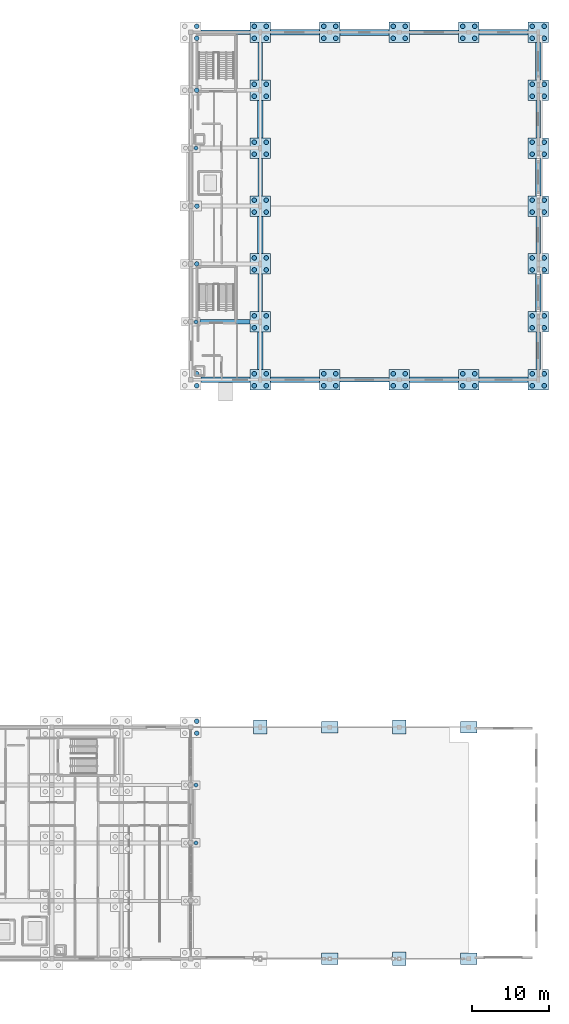
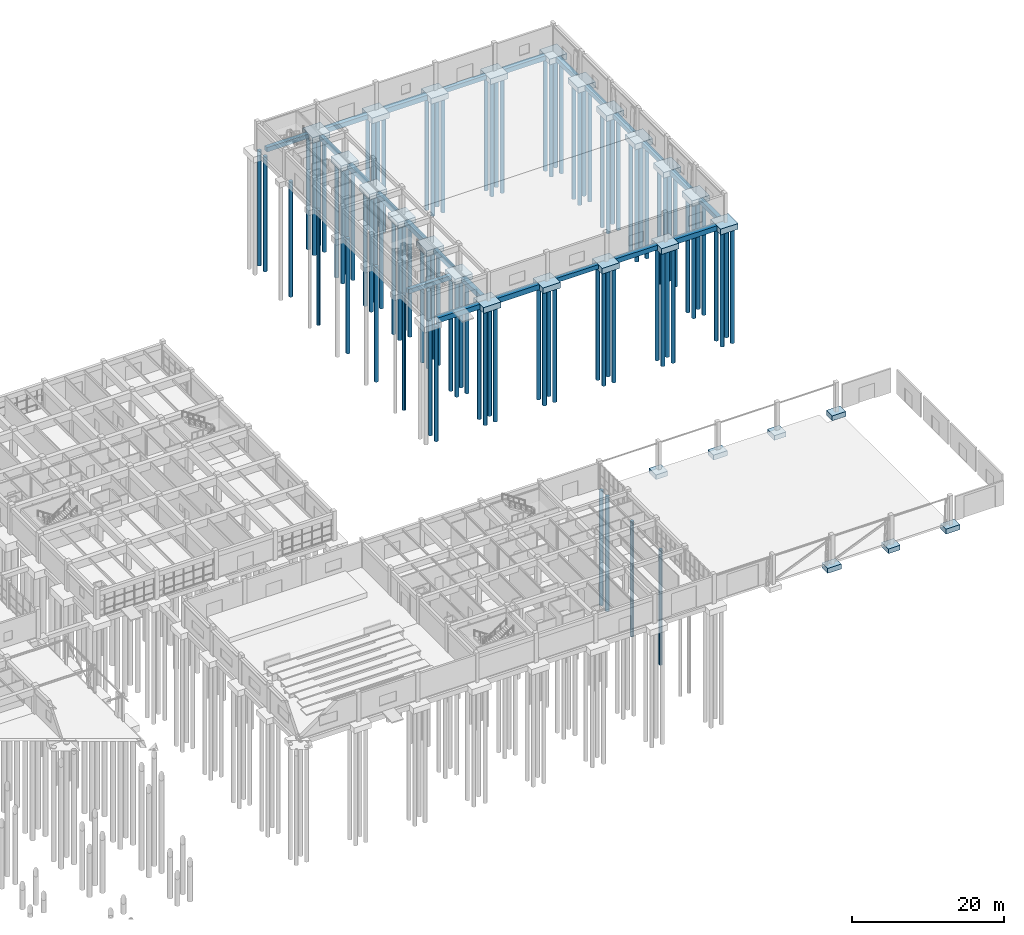
# One storey, part 8 of 93: 93 piles, 50 footings.
"""IFC4 building model written with IfcOpenShell, lengths in metres."""

from ifc_helpers import new_model, si_unit, direction, frame, origin, origin_2d, place, context, subcontext, project, spatial, rectangle, circle, extrude, material, material_profile, profile_set, type_object, element, save


model = new_model("IFC4")

# Units and contexts
model_context = context("Model", 3, precision=1e-05, world=origin(), true_north=direction((0.0, 1.0)))
body_context = subcontext(model_context, "Body", "Model", "MODEL_VIEW")
ifc_project = project(units=[si_unit("LENGTHUNIT", "METRE"), si_unit("AREAUNIT", "SQUARE_METRE"), si_unit("VOLUMEUNIT", "CUBIC_METRE"), si_unit("PLANEANGLEUNIT", "RADIAN"), si_unit("MASSUNIT", "GRAM", prefix="KILO")], contexts=[model_context])

# Site, building, storey
site_placement = place(None, origin())
site = spatial("IfcSite", under=ifc_project, at=site_placement, CompositionType="ELEMENT")
building_placement = place(site_placement, origin())
building = spatial("IfcBuilding", under=site, at=building_placement, Name="Marnridge Secondary College", CompositionType="ELEMENT")
storey_placement = place(building_placement, origin())
storey = spatial("IfcBuildingStorey", under=building, at=storey_placement, Name="L00", CompositionType="ELEMENT", Elevation=0.0)

# Footings
ifc_material_1 = material(Name="Concrete C40/50 (AS 3600 N40, 40 MPa)", Category="concrete")
footing_type_1 = type_object("IfcFootingType", Name="FT-PC-2650", PredefinedType="PILE_CAP", material=ifc_material_1)
for number, where, z_axis, x_axis, name in (
    (1, (135.0, 75.0, -1.169921875), (0.0, 0.0, 1.0), (1.0, 0.0, 0.0), "Pile cap PC-113"),
    (2, (144.0, 75.0, -1.169921875), (0.0, 0.0, 1.0), (1.0, 0.0, 0.0), "Pile cap PC-114"),
    (3, (153.0, 75.0, -1.169921875), (0.0, 0.0, 1.0), (1.0, 0.0, 0.0), "Pile cap PC-115"),
    (4, (162.0, 75.0, -1.169921875), (0.0, 0.0, 1.0), (1.0, 0.0, 0.0), "Pile cap PC-116"),
    (5, (171.0, 75.0, -1.169921875), (0.0, 0.0, 1.0), (1.0, 0.0, 0.0), "Pile cap PC-117"),
    (6, (135.0, 82.5, -1.169921875), (0.0, 0.0, 1.0), (1.0, 0.0, 0.0), "Pile cap PC-129"),
    (7, (171.0, 82.5, -1.169921875), (0.0, 0.0, 1.0), (1.0, 0.0, 0.0), "Pile cap PC-130"),
    (8, (135.0, 90.0, -1.169921875), (0.0, 0.0, 1.0), (1.0, 0.0, 0.0), "Pile cap PC-137"),
    (9, (171.0, 90.0, -1.169921875), (0.0, 0.0, 1.0), (1.0, 0.0, 0.0), "Pile cap PC-138"),
    (10, (135.0, 97.5, -1.169921875), (0.0, 0.0, 1.0), (1.0, 0.0, 0.0), "Pile cap PC-145"),
    (11, (171.0, 97.5, -1.169921875), (0.0, 0.0, 1.0), (1.0, 0.0, 0.0), "Pile cap PC-146"),
    (12, (135.0, 105.0, -1.169921875), (0.0, 0.0, 1.0), (1.0, 0.0, 0.0), "Pile cap PC-153"),
    (13, (171.0, 105.0, -1.169921875), (0.0, 0.0, 1.0), (1.0, 0.0, 0.0), "Pile cap PC-154"),
    (14, (135.0, 112.5, -1.169921875), (0.0, 0.0, 1.0), (1.0, 0.0, 0.0), "Pile cap PC-161"),
    (15, (171.0, 112.5, -1.169921875), (0.0, 0.0, 1.0), (1.0, 0.0, 0.0), "Pile cap PC-162"),
    (16, (135.0, 120.0, -1.169921875), (0.0, 0.0, 1.0), (1.0, 0.0, 0.0), "Pile cap PC-169"),
    (17, (144.0, 120.0, -1.169921875), (0.0, 0.0, 1.0), (1.0, 0.0, 0.0), "Pile cap PC-170"),
    (18, (153.0, 120.0, -1.169921875), (0.0, 0.0, 1.0), (1.0, 0.0, 0.0), "Pile cap PC-171"),
    (19, (162.0, 120.0, -1.169921875), (0.0, 0.0, 1.0), (1.0, 0.0, 0.0), "Pile cap PC-172"),
    (20, (171.0, 120.0, -1.169921875), (0.0, 0.0, 1.0), (1.0, 0.0, 0.0), "Pile cap PC-173"),
):
    element("IfcFooting", number, at=place(storey_placement, frame(where, z_axis=z_axis, x_axis=x_axis)), inside=storey, type_object=footing_type_1, Name=name, PredefinedType="PILE_CAP", context=body_context, shape_type="SweptSolid", body=[
        extrude(rectangle(XDim=2.64990234375, YDim=2.64990234375, at=origin_2d()), origin(), (0.0, 0.0, 1.0), 0.919921875),
    ])
ifc_material_2 = material(Name="Concrete C40/50 (AS 3600 N40, 40 MPa)", Category="concrete")
footing_type_2 = type_object("IfcFootingType", Name="FT-PF-1800", PredefinedType="PAD_FOOTING", material=ifc_material_2)
for number, where, z_axis, x_axis, name in (
    (21, (153.0, 0.0, -1.0), (0.0, 0.0, 1.0), (1.0, 0.0, 0.0), "Pad footing PF-003"),
    (22, (135.0, 30.0, -1.0), (0.0, 0.0, 1.0), (1.0, 0.0, 0.0), "Pad footing PF-005"),
    (23, (153.0, 30.0, -1.0), (0.0, 0.0, 1.0), (1.0, 0.0, 0.0), "Pad footing PF-007"),
):
    element("IfcFooting", number, at=place(storey_placement, frame(where, z_axis=z_axis, x_axis=x_axis)), inside=storey, type_object=footing_type_2, Name=name, PredefinedType="PAD_FOOTING", context=body_context, shape_type="SweptSolid", body=[
        extrude(rectangle(XDim=1.800048828125, YDim=1.800048828125, at=origin_2d()), origin(), (0.0, 0.0, 1.0), 0.75),
    ])
ifc_material_3 = material(Name="Concrete C40/50 (AS 3600 N40, 40 MPa)", Category="concrete")
footing_type_3 = type_object("IfcFootingType", Name="FT-PF-2115", PredefinedType="PAD_FOOTING", material=ifc_material_3)
for number, where, z_axis, x_axis, name in (
    (24, (144.0, 0.0, -1.0498046875), (0.0, 0.0, 1.0), (1.0, 0.0, 0.0), "Pad footing PF-002"),
    (25, (162.0, 0.0, -1.0498046875), (0.0, 0.0, 1.0), (1.0, 0.0, 0.0), "Pad footing PF-004"),
    (26, (144.0, 30.0, -1.0498046875), (0.0, 0.0, 1.0), (1.0, 0.0, 0.0), "Pad footing PF-006"),
    (27, (162.0, 30.0, -1.0498046875), (0.0, 0.0, 1.0), (1.0, 0.0, 0.0), "Pad footing PF-008"),
):
    element("IfcFooting", number, at=place(storey_placement, frame(where, z_axis=z_axis, x_axis=x_axis)), inside=storey, type_object=footing_type_3, Name=name, PredefinedType="PAD_FOOTING", context=body_context, shape_type="SweptSolid", body=[
        extrude(rectangle(XDim=2.10009765625, YDim=1.5, at=origin_2d()), origin(), (0.0, 0.0, 1.0), 0.800048828125),
    ])
ifc_material_4 = material(Name="Concrete C40/50 (AS 3600 N40, 40 MPa)", Category="concrete")
footing_type_4 = type_object("IfcFootingType", Name="FT-SF-600", PredefinedType="STRIP_FOOTING", material=ifc_material_4)
footing_1_placement = place(storey_placement, frame((130.425048828125, 82.5, -0.9501953125), z_axis=(0.0, 0.0, 1.0), x_axis=(1.0, 0.0, 0.0)))
element("IfcFooting", 28, at=footing_1_placement, inside=storey, type_object=footing_type_4, Name="Ground strip footing SF-128", PredefinedType="STRIP_FOOTING", context=body_context, shape_type="SweptSolid", body=[
    extrude(rectangle(XDim=6.5, YDim=0.60009765625, at=origin_2d()), origin(), (0.0, 0.0, 1.0), 0.699951171875),
])
footing_2_placement = place(storey_placement, frame((130.5, 120.0, -0.9501953125), z_axis=(0.0, 0.0, 1.0), x_axis=(1.0, 0.0, 0.0)))
element("IfcFooting", 29, at=footing_2_placement, inside=storey, type_object=footing_type_4, Name="Ground strip footing SF-134", PredefinedType="STRIP_FOOTING", context=body_context, shape_type="SweptSolid", body=[
    extrude(rectangle(XDim=6.35009765625, YDim=0.60009765625, at=origin_2d()), origin(), (0.0, 0.0, 1.0), 0.699951171875),
])
for number, where, z_axis, x_axis, name in (
    (30, (135.0, 86.25, -0.9501953125), (0.0, 0.0, 1.0), (1.0, 0.0, 0.0), "Ground strip footing SF-137"),
    (31, (135.0, 101.25, -0.9501953125), (0.0, 0.0, 1.0), (1.0, 0.0, 0.0), "Ground strip footing SF-139"),
    (32, (135.0, 116.25, -0.9501953125), (0.0, 0.0, 1.0), (1.0, 0.0, 0.0), "Ground strip footing SF-141"),
):
    element("IfcFooting", number, at=place(storey_placement, frame(where, z_axis=z_axis, x_axis=x_axis)), inside=storey, type_object=footing_type_4, Name=name, PredefinedType="STRIP_FOOTING", context=body_context, shape_type="SweptSolid", body=[
        extrude(rectangle(XDim=0.60009765625, YDim=4.85009765625, at=origin_2d()), origin(), (0.0, 0.0, 1.0), 0.699951171875),
    ])
for number, where, z_axis, x_axis, name in (
    (33, (148.5, 75.0, -0.9501953125), (0.0, 0.0, 1.0), (1.0, 0.0, 0.0), "Ground strip footing SF-143"),
    (34, (157.5, 120.0, -0.9501953125), (0.0, 0.0, 1.0), (1.0, 0.0, 0.0), "Ground strip footing SF-146"),
):
    element("IfcFooting", number, at=place(storey_placement, frame(where, z_axis=z_axis, x_axis=x_axis)), inside=storey, type_object=footing_type_4, Name=name, PredefinedType="STRIP_FOOTING", context=body_context, shape_type="SweptSolid", body=[
        extrude(rectangle(XDim=6.35009765625, YDim=0.60009765625, at=origin_2d()), origin(), (0.0, 0.0, 1.0), 0.699951171875),
    ])
for number, where, z_axis, x_axis, name in (
    (35, (171.0, 78.75, -0.9501953125), (0.0, 0.0, 1.0), (1.0, 0.0, 0.0), "Ground strip footing SF-149"),
    (36, (171.0, 93.75, -0.9501953125), (0.0, 0.0, 1.0), (1.0, 0.0, 0.0), "Ground strip footing SF-151"),
    (37, (171.0, 108.75, -0.9501953125), (0.0, 0.0, 1.0), (1.0, 0.0, 0.0), "Ground strip footing SF-153"),
):
    element("IfcFooting", number, at=place(storey_placement, frame(where, z_axis=z_axis, x_axis=x_axis)), inside=storey, type_object=footing_type_4, Name=name, PredefinedType="STRIP_FOOTING", context=body_context, shape_type="SweptSolid", body=[
        extrude(rectangle(XDim=0.60009765625, YDim=4.85009765625, at=origin_2d()), origin(), (0.0, 0.0, 1.0), 0.699951171875),
    ])
ifc_material_5 = material(Name="Concrete C40/50 (AS 3600 N40, 40 MPa)", Category="concrete")
footing_type_5 = type_object("IfcFootingType", Name="FT-SF-680", PredefinedType="STRIP_FOOTING", material=ifc_material_5)
for number, where, z_axis, x_axis, name in (
    (38, (135.0, 78.75, -1.009765625), (0.0, 0.0, 1.0), (1.0, 0.0, 0.0), "Ground strip footing SF-136"),
    (39, (135.0, 93.75, -1.009765625), (0.0, 0.0, 1.0), (1.0, 0.0, 0.0), "Ground strip footing SF-138"),
    (40, (135.0, 108.75, -1.009765625), (0.0, 0.0, 1.0), (1.0, 0.0, 0.0), "Ground strip footing SF-140"),
):
    element("IfcFooting", number, at=place(storey_placement, frame(where, z_axis=z_axis, x_axis=x_axis)), inside=storey, type_object=footing_type_5, Name=name, PredefinedType="STRIP_FOOTING", context=body_context, shape_type="SweptSolid", body=[
        extrude(rectangle(XDim=0.679931640625, YDim=4.85009765625, at=origin_2d()), origin(), (0.0, 0.0, 1.0), 0.760009765625),
    ])
for number, where, z_axis, x_axis, name in (
    (41, (139.5, 120.0, -1.009765625), (0.0, 0.0, 1.0), (1.0, 0.0, 0.0), "Ground strip footing SF-142"),
    (42, (157.5, 75.0, -1.009765625), (0.0, 0.0, 1.0), (1.0, 0.0, 0.0), "Ground strip footing SF-145"),
    (43, (166.5, 120.0, -1.009765625), (0.0, 0.0, 1.0), (1.0, 0.0, 0.0), "Ground strip footing SF-148"),
):
    element("IfcFooting", number, at=place(storey_placement, frame(where, z_axis=z_axis, x_axis=x_axis)), inside=storey, type_object=footing_type_5, Name=name, PredefinedType="STRIP_FOOTING", context=body_context, shape_type="SweptSolid", body=[
        extrude(rectangle(XDim=6.35009765625, YDim=0.679931640625, at=origin_2d()), origin(), (0.0, 0.0, 1.0), 0.760009765625),
    ])
for number, where, z_axis, x_axis, name in (
    (44, (171.0, 86.25, -1.009765625), (0.0, 0.0, 1.0), (1.0, 0.0, 0.0), "Ground strip footing SF-150"),
    (45, (171.0, 101.25, -1.009765625), (0.0, 0.0, 1.0), (1.0, 0.0, 0.0), "Ground strip footing SF-152"),
    (46, (171.0, 116.25, -1.009765625), (0.0, 0.0, 1.0), (1.0, 0.0, 0.0), "Ground strip footing SF-154"),
):
    element("IfcFooting", number, at=place(storey_placement, frame(where, z_axis=z_axis, x_axis=x_axis)), inside=storey, type_object=footing_type_5, Name=name, PredefinedType="STRIP_FOOTING", context=body_context, shape_type="SweptSolid", body=[
        extrude(rectangle(XDim=0.679931640625, YDim=4.85009765625, at=origin_2d()), origin(), (0.0, 0.0, 1.0), 0.760009765625),
    ])
ifc_material_6 = material(Name="Concrete C40/50 (AS 3600 N40, 40 MPa)", Category="concrete")
footing_type_6 = type_object("IfcFootingType", Name="FT-SF-760", PredefinedType="STRIP_FOOTING", material=ifc_material_6)
for number, where, z_axis, x_axis, name in (
    (47, (130.5, 75.0, -1.06982421875), (0.0, 0.0, 1.0), (1.0, 0.0, 0.0), "Ground strip footing SF-126"),
    (48, (139.5, 75.0, -1.06982421875), (0.0, 0.0, 1.0), (1.0, 0.0, 0.0), "Ground strip footing SF-135"),
    (49, (148.5, 120.0, -1.06982421875), (0.0, 0.0, 1.0), (1.0, 0.0, 0.0), "Ground strip footing SF-144"),
    (50, (166.5, 75.0, -1.06982421875), (0.0, 0.0, 1.0), (1.0, 0.0, 0.0), "Ground strip footing SF-147"),
):
    element("IfcFooting", number, at=place(storey_placement, frame(where, z_axis=z_axis, x_axis=x_axis)), inside=storey, type_object=footing_type_6, Name=name, PredefinedType="STRIP_FOOTING", context=body_context, shape_type="SweptSolid", body=[
        extrude(rectangle(XDim=6.35009765625, YDim=0.760009765625, at=origin_2d()), origin(), (0.0, 0.0, 1.0), 0.820068359375),
    ])

# Piles
ifc_material_7 = material(Name="Concrete C40/50 (AS 3600 N40, 40 MPa)", Category="concrete")
ifc_material_profile_1 = material_profile(ifc_material_7, circle(Radius=0.25, at=origin_2d()), Name="PILE D500")
ifc_profile_set_1 = profile_set([ifc_material_profile_1], Name="Concrete C40/50 (AS 3600 N40, 40 MPa)")
pile_type_1 = type_object("IfcPileType", Name="PL-D500-N40", PredefinedType="BORED", material=ifc_profile_set_1)
for number, where, z_axis, x_axis, name in (
    (51, (126.675048828125, 15.0, -0.969970703125), (0.0, 0.0, -1.0), (1.0, 0.0, 0.0), "Bored pile PL-148"),
    (52, (126.675048828125, 22.5, -0.969970703125), (0.0, 0.0, -1.0), (1.0, 0.0, 0.0), "Bored pile PL-194"),
    (53, (126.675048828125, 82.5, -0.969970703125), (0.0, 0.0, -1.0), (1.0, 0.0, 0.0), "Bored pile PL-486"),
    (54, (126.675048828125, 105.0, -0.969970703125), (0.0, 0.0, -1.0), (1.0, 0.0, 0.0), "Bored pile PL-576"),
):
    element("IfcPile", number, at=place(storey_placement, frame(where, z_axis=z_axis, x_axis=x_axis)), inside=storey, type_object=pile_type_1, Name=name, PredefinedType="BORED", context=body_context, shape_type="SweptSolid", body=[
        extrude(circle(Radius=0.25, at=origin_2d()), origin(), (0.0, 0.0, 1.0), 18.530029296875),
    ])
ifc_material_8 = material(Name="Concrete C40/50 (AS 3600 N40, 40 MPa)", Category="concrete")
ifc_material_profile_2 = material_profile(ifc_material_8, circle(Radius=0.300048828125, at=origin_2d()), Name="PILE D600")
ifc_profile_set_2 = profile_set([ifc_material_profile_2], Name="Concrete C40/50 (AS 3600 N40, 40 MPa)")
pile_type_2 = type_object("IfcPileType", Name="PL-D600-N40", PredefinedType="BORED", material=ifc_profile_set_2)
for number, where, z_axis, x_axis, name in (
    (55, (126.77490234375, 29.22509765625, -1.070068359375), (0.0, 0.0, -1.0), (1.0, 0.0, 0.0), "Bored pile PL-248"),
    (56, (126.77490234375, 30.77490234375, -1.070068359375), (0.0, 0.0, -1.0), (1.0, 0.0, 0.0), "Bored pile PL-250"),
    (57, (126.77490234375, 74.22509765625, -1.070068359375), (0.0, 0.0, -1.0), (1.0, 0.0, 0.0), "Bored pile PL-422"),
    (58, (126.77490234375, 75.77490234375, -1.070068359375), (0.0, 0.0, -1.0), (1.0, 0.0, 0.0), "Bored pile PL-424"),
    (59, (134.22509765625, 74.22509765625, -1.070068359375), (0.0, 0.0, -1.0), (1.0, 0.0, 0.0), "Bored pile PL-425"),
    (60, (135.77490234375, 74.22509765625, -1.070068359375), (0.0, 0.0, -1.0), (1.0, 0.0, 0.0), "Bored pile PL-426"),
    (61, (134.22509765625, 75.77490234375, -1.070068359375), (0.0, 0.0, -1.0), (1.0, 0.0, 0.0), "Bored pile PL-427"),
    (62, (135.77490234375, 75.77490234375, -1.070068359375), (0.0, 0.0, -1.0), (1.0, 0.0, 0.0), "Bored pile PL-428"),
    (63, (143.22509765625, 74.22509765625, -1.070068359375), (0.0, 0.0, -1.0), (1.0, 0.0, 0.0), "Bored pile PL-429"),
    (64, (144.77490234375, 74.22509765625, -1.070068359375), (0.0, 0.0, -1.0), (1.0, 0.0, 0.0), "Bored pile PL-430"),
    (65, (143.22509765625, 75.77490234375, -1.070068359375), (0.0, 0.0, -1.0), (1.0, 0.0, 0.0), "Bored pile PL-431"),
    (66, (144.77490234375, 75.77490234375, -1.070068359375), (0.0, 0.0, -1.0), (1.0, 0.0, 0.0), "Bored pile PL-432"),
    (67, (152.22509765625, 74.22509765625, -1.070068359375), (0.0, 0.0, -1.0), (1.0, 0.0, 0.0), "Bored pile PL-433"),
    (68, (153.77490234375, 74.22509765625, -1.070068359375), (0.0, 0.0, -1.0), (1.0, 0.0, 0.0), "Bored pile PL-434"),
    (69, (152.22509765625, 75.77490234375, -1.070068359375), (0.0, 0.0, -1.0), (1.0, 0.0, 0.0), "Bored pile PL-435"),
    (70, (153.77490234375, 75.77490234375, -1.070068359375), (0.0, 0.0, -1.0), (1.0, 0.0, 0.0), "Bored pile PL-436"),
    (71, (161.22509765625, 74.22509765625, -1.070068359375), (0.0, 0.0, -1.0), (1.0, 0.0, 0.0), "Bored pile PL-437"),
    (72, (162.77490234375, 74.22509765625, -1.070068359375), (0.0, 0.0, -1.0), (1.0, 0.0, 0.0), "Bored pile PL-438"),
    (73, (161.22509765625, 75.77490234375, -1.070068359375), (0.0, 0.0, -1.0), (1.0, 0.0, 0.0), "Bored pile PL-439"),
    (74, (162.77490234375, 75.77490234375, -1.070068359375), (0.0, 0.0, -1.0), (1.0, 0.0, 0.0), "Bored pile PL-440"),
    (75, (170.22509765625, 74.22509765625, -1.070068359375), (0.0, 0.0, -1.0), (1.0, 0.0, 0.0), "Bored pile PL-441"),
    (76, (171.77490234375, 74.22509765625, -1.070068359375), (0.0, 0.0, -1.0), (1.0, 0.0, 0.0), "Bored pile PL-442"),
    (77, (170.22509765625, 75.77490234375, -1.070068359375), (0.0, 0.0, -1.0), (1.0, 0.0, 0.0), "Bored pile PL-443"),
    (78, (171.77490234375, 75.77490234375, -1.070068359375), (0.0, 0.0, -1.0), (1.0, 0.0, 0.0), "Bored pile PL-444"),
    (79, (134.22509765625, 81.72509765625, -1.070068359375), (0.0, 0.0, -1.0), (1.0, 0.0, 0.0), "Bored pile PL-487"),
    (80, (135.77490234375, 81.72509765625, -1.070068359375), (0.0, 0.0, -1.0), (1.0, 0.0, 0.0), "Bored pile PL-488"),
    (81, (134.22509765625, 83.27490234375, -1.070068359375), (0.0, 0.0, -1.0), (1.0, 0.0, 0.0), "Bored pile PL-489"),
    (82, (135.77490234375, 83.27490234375, -1.070068359375), (0.0, 0.0, -1.0), (1.0, 0.0, 0.0), "Bored pile PL-490"),
    (83, (170.22509765625, 81.72509765625, -1.070068359375), (0.0, 0.0, -1.0), (1.0, 0.0, 0.0), "Bored pile PL-491"),
    (84, (171.77490234375, 81.72509765625, -1.070068359375), (0.0, 0.0, -1.0), (1.0, 0.0, 0.0), "Bored pile PL-492"),
    (85, (170.22509765625, 83.27490234375, -1.070068359375), (0.0, 0.0, -1.0), (1.0, 0.0, 0.0), "Bored pile PL-493"),
    (86, (171.77490234375, 83.27490234375, -1.070068359375), (0.0, 0.0, -1.0), (1.0, 0.0, 0.0), "Bored pile PL-494"),
):
    element("IfcPile", number, at=place(storey_placement, frame(where, z_axis=z_axis, x_axis=x_axis)), inside=storey, type_object=pile_type_2, Name=name, PredefinedType="BORED", context=body_context, shape_type="SweptSolid", body=[
        extrude(circle(Radius=0.300048828125, at=origin_2d()), origin(), (0.0, 0.0, 1.0), 18.429931640625),
    ])
pile_1_placement = place(storey_placement, frame((126.77490234375, 90.0, -1.010009765625), z_axis=(0.0, 0.0, -1.0), x_axis=(1.0, 0.0, 0.0)))
element("IfcPile", 87, at=pile_1_placement, inside=storey, type_object=pile_type_2, Name="Bored pile PL-516", PredefinedType="BORED", context=body_context, shape_type="SweptSolid", body=[
    extrude(circle(Radius=0.300048828125, at=origin_2d()), origin(), (0.0, 0.0, 1.0), 18.489990234375),
])
for number, where, z_axis, x_axis, name in (
    (88, (134.22509765625, 89.22509765625, -1.070068359375), (0.0, 0.0, -1.0), (1.0, 0.0, 0.0), "Bored pile PL-517"),
    (89, (135.77490234375, 89.22509765625, -1.070068359375), (0.0, 0.0, -1.0), (1.0, 0.0, 0.0), "Bored pile PL-518"),
    (90, (134.22509765625, 90.77490234375, -1.070068359375), (0.0, 0.0, -1.0), (1.0, 0.0, 0.0), "Bored pile PL-519"),
    (91, (135.77490234375, 90.77490234375, -1.070068359375), (0.0, 0.0, -1.0), (1.0, 0.0, 0.0), "Bored pile PL-520"),
    (92, (170.22509765625, 89.22509765625, -1.070068359375), (0.0, 0.0, -1.0), (1.0, 0.0, 0.0), "Bored pile PL-521"),
    (93, (171.77490234375, 89.22509765625, -1.070068359375), (0.0, 0.0, -1.0), (1.0, 0.0, 0.0), "Bored pile PL-522"),
    (94, (170.22509765625, 90.77490234375, -1.070068359375), (0.0, 0.0, -1.0), (1.0, 0.0, 0.0), "Bored pile PL-523"),
    (95, (171.77490234375, 90.77490234375, -1.070068359375), (0.0, 0.0, -1.0), (1.0, 0.0, 0.0), "Bored pile PL-524"),
):
    element("IfcPile", number, at=place(storey_placement, frame(where, z_axis=z_axis, x_axis=x_axis)), inside=storey, type_object=pile_type_2, Name=name, PredefinedType="BORED", context=body_context, shape_type="SweptSolid", body=[
        extrude(circle(Radius=0.300048828125, at=origin_2d()), origin(), (0.0, 0.0, 1.0), 18.429931640625),
    ])
pile_2_placement = place(storey_placement, frame((126.800048828125, 97.5, -1.050048828125), z_axis=(0.0, 0.0, -1.0), x_axis=(1.0, 0.0, 0.0)))
element("IfcPile", 96, at=pile_2_placement, inside=storey, type_object=pile_type_2, Name="Bored pile PL-546", PredefinedType="BORED", context=body_context, shape_type="SweptSolid", body=[
    extrude(circle(Radius=0.300048828125, at=origin_2d()), origin(), (0.0, 0.0, 1.0), 18.449951171875),
])
for number, where, z_axis, x_axis, name in (
    (97, (134.22509765625, 96.72509765625, -1.070068359375), (0.0, 0.0, -1.0), (1.0, 0.0, 0.0), "Bored pile PL-547"),
    (98, (135.77490234375, 96.72509765625, -1.070068359375), (0.0, 0.0, -1.0), (1.0, 0.0, 0.0), "Bored pile PL-548"),
    (99, (134.22509765625, 98.27490234375, -1.070068359375), (0.0, 0.0, -1.0), (1.0, 0.0, 0.0), "Bored pile PL-549"),
    (100, (135.77490234375, 98.27490234375, -1.070068359375), (0.0, 0.0, -1.0), (1.0, 0.0, 0.0), "Bored pile PL-550"),
    (101, (170.22509765625, 96.72509765625, -1.070068359375), (0.0, 0.0, -1.0), (1.0, 0.0, 0.0), "Bored pile PL-551"),
    (102, (171.77490234375, 96.72509765625, -1.070068359375), (0.0, 0.0, -1.0), (1.0, 0.0, 0.0), "Bored pile PL-552"),
    (103, (170.22509765625, 98.27490234375, -1.070068359375), (0.0, 0.0, -1.0), (1.0, 0.0, 0.0), "Bored pile PL-553"),
    (104, (171.77490234375, 98.27490234375, -1.070068359375), (0.0, 0.0, -1.0), (1.0, 0.0, 0.0), "Bored pile PL-554"),
    (105, (134.22509765625, 104.22509765625, -1.070068359375), (0.0, 0.0, -1.0), (1.0, 0.0, 0.0), "Bored pile PL-577"),
    (106, (135.77490234375, 104.22509765625, -1.070068359375), (0.0, 0.0, -1.0), (1.0, 0.0, 0.0), "Bored pile PL-578"),
    (107, (134.22509765625, 105.77490234375, -1.070068359375), (0.0, 0.0, -1.0), (1.0, 0.0, 0.0), "Bored pile PL-579"),
    (108, (135.77490234375, 105.77490234375, -1.070068359375), (0.0, 0.0, -1.0), (1.0, 0.0, 0.0), "Bored pile PL-580"),
    (109, (170.22509765625, 104.22509765625, -1.070068359375), (0.0, 0.0, -1.0), (1.0, 0.0, 0.0), "Bored pile PL-581"),
    (110, (171.77490234375, 104.22509765625, -1.070068359375), (0.0, 0.0, -1.0), (1.0, 0.0, 0.0), "Bored pile PL-582"),
    (111, (170.22509765625, 105.77490234375, -1.070068359375), (0.0, 0.0, -1.0), (1.0, 0.0, 0.0), "Bored pile PL-583"),
    (112, (171.77490234375, 105.77490234375, -1.070068359375), (0.0, 0.0, -1.0), (1.0, 0.0, 0.0), "Bored pile PL-584"),
):
    element("IfcPile", number, at=place(storey_placement, frame(where, z_axis=z_axis, x_axis=x_axis)), inside=storey, type_object=pile_type_2, Name=name, PredefinedType="BORED", context=body_context, shape_type="SweptSolid", body=[
        extrude(circle(Radius=0.300048828125, at=origin_2d()), origin(), (0.0, 0.0, 1.0), 18.429931640625),
    ])
pile_3_placement = place(storey_placement, frame((126.77490234375, 112.5, -1.010009765625), z_axis=(0.0, 0.0, -1.0), x_axis=(1.0, 0.0, 0.0)))
element("IfcPile", 113, at=pile_3_placement, inside=storey, type_object=pile_type_2, Name="Bored pile PL-606", PredefinedType="BORED", context=body_context, shape_type="SweptSolid", body=[
    extrude(circle(Radius=0.300048828125, at=origin_2d()), origin(), (0.0, 0.0, 1.0), 18.489990234375),
])
for number, where, z_axis, x_axis, name in (
    (114, (134.22509765625, 111.72509765625, -1.070068359375), (0.0, 0.0, -1.0), (1.0, 0.0, 0.0), "Bored pile PL-607"),
    (115, (135.77490234375, 111.72509765625, -1.070068359375), (0.0, 0.0, -1.0), (1.0, 0.0, 0.0), "Bored pile PL-608"),
    (116, (134.22509765625, 113.27490234375, -1.070068359375), (0.0, 0.0, -1.0), (1.0, 0.0, 0.0), "Bored pile PL-609"),
    (117, (135.77490234375, 113.27490234375, -1.070068359375), (0.0, 0.0, -1.0), (1.0, 0.0, 0.0), "Bored pile PL-610"),
    (118, (170.22509765625, 111.72509765625, -1.070068359375), (0.0, 0.0, -1.0), (1.0, 0.0, 0.0), "Bored pile PL-611"),
    (119, (171.77490234375, 111.72509765625, -1.070068359375), (0.0, 0.0, -1.0), (1.0, 0.0, 0.0), "Bored pile PL-612"),
    (120, (170.22509765625, 113.27490234375, -1.070068359375), (0.0, 0.0, -1.0), (1.0, 0.0, 0.0), "Bored pile PL-613"),
    (121, (171.77490234375, 113.27490234375, -1.070068359375), (0.0, 0.0, -1.0), (1.0, 0.0, 0.0), "Bored pile PL-614"),
    (122, (126.77490234375, 119.22509765625, -1.070068359375), (0.0, 0.0, -1.0), (1.0, 0.0, 0.0), "Bored pile PL-636"),
    (123, (126.77490234375, 120.77490234375, -1.070068359375), (0.0, 0.0, -1.0), (1.0, 0.0, 0.0), "Bored pile PL-638"),
    (124, (134.22509765625, 119.22509765625, -1.070068359375), (0.0, 0.0, -1.0), (1.0, 0.0, 0.0), "Bored pile PL-639"),
    (125, (135.77490234375, 119.22509765625, -1.070068359375), (0.0, 0.0, -1.0), (1.0, 0.0, 0.0), "Bored pile PL-640"),
    (126, (134.22509765625, 120.77490234375, -1.070068359375), (0.0, 0.0, -1.0), (1.0, 0.0, 0.0), "Bored pile PL-641"),
    (127, (135.77490234375, 120.77490234375, -1.070068359375), (0.0, 0.0, -1.0), (1.0, 0.0, 0.0), "Bored pile PL-642"),
    (128, (143.22509765625, 119.22509765625, -1.070068359375), (0.0, 0.0, -1.0), (1.0, 0.0, 0.0), "Bored pile PL-643"),
    (129, (144.77490234375, 119.22509765625, -1.070068359375), (0.0, 0.0, -1.0), (1.0, 0.0, 0.0), "Bored pile PL-644"),
    (130, (143.22509765625, 120.77490234375, -1.070068359375), (0.0, 0.0, -1.0), (1.0, 0.0, 0.0), "Bored pile PL-645"),
    (131, (144.77490234375, 120.77490234375, -1.070068359375), (0.0, 0.0, -1.0), (1.0, 0.0, 0.0), "Bored pile PL-646"),
    (132, (152.22509765625, 119.22509765625, -1.070068359375), (0.0, 0.0, -1.0), (1.0, 0.0, 0.0), "Bored pile PL-647"),
    (133, (153.77490234375, 119.22509765625, -1.070068359375), (0.0, 0.0, -1.0), (1.0, 0.0, 0.0), "Bored pile PL-648"),
    (134, (152.22509765625, 120.77490234375, -1.070068359375), (0.0, 0.0, -1.0), (1.0, 0.0, 0.0), "Bored pile PL-649"),
    (135, (153.77490234375, 120.77490234375, -1.070068359375), (0.0, 0.0, -1.0), (1.0, 0.0, 0.0), "Bored pile PL-650"),
    (136, (161.22509765625, 119.22509765625, -1.070068359375), (0.0, 0.0, -1.0), (1.0, 0.0, 0.0), "Bored pile PL-651"),
    (137, (162.77490234375, 119.22509765625, -1.070068359375), (0.0, 0.0, -1.0), (1.0, 0.0, 0.0), "Bored pile PL-652"),
    (138, (161.22509765625, 120.77490234375, -1.070068359375), (0.0, 0.0, -1.0), (1.0, 0.0, 0.0), "Bored pile PL-653"),
    (139, (162.77490234375, 120.77490234375, -1.070068359375), (0.0, 0.0, -1.0), (1.0, 0.0, 0.0), "Bored pile PL-654"),
    (140, (170.22509765625, 119.22509765625, -1.070068359375), (0.0, 0.0, -1.0), (1.0, 0.0, 0.0), "Bored pile PL-655"),
    (141, (171.77490234375, 119.22509765625, -1.070068359375), (0.0, 0.0, -1.0), (1.0, 0.0, 0.0), "Bored pile PL-656"),
    (142, (170.22509765625, 120.77490234375, -1.070068359375), (0.0, 0.0, -1.0), (1.0, 0.0, 0.0), "Bored pile PL-657"),
    (143, (171.77490234375, 120.77490234375, -1.070068359375), (0.0, 0.0, -1.0), (1.0, 0.0, 0.0), "Bored pile PL-658"),
):
    element("IfcPile", number, at=place(storey_placement, frame(where, z_axis=z_axis, x_axis=x_axis)), inside=storey, type_object=pile_type_2, Name=name, PredefinedType="BORED", context=body_context, shape_type="SweptSolid", body=[
        extrude(circle(Radius=0.300048828125, at=origin_2d()), origin(), (0.0, 0.0, 1.0), 18.429931640625),
    ])

save(model, "model.ifc")
